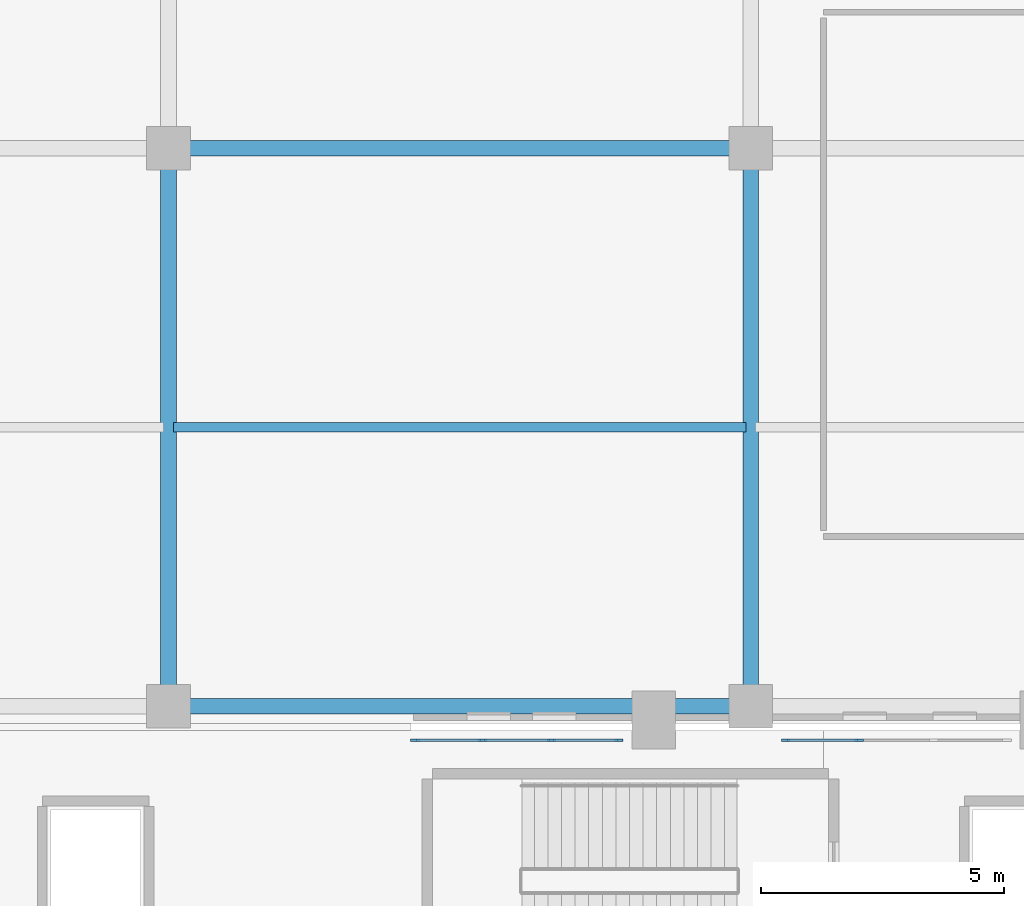
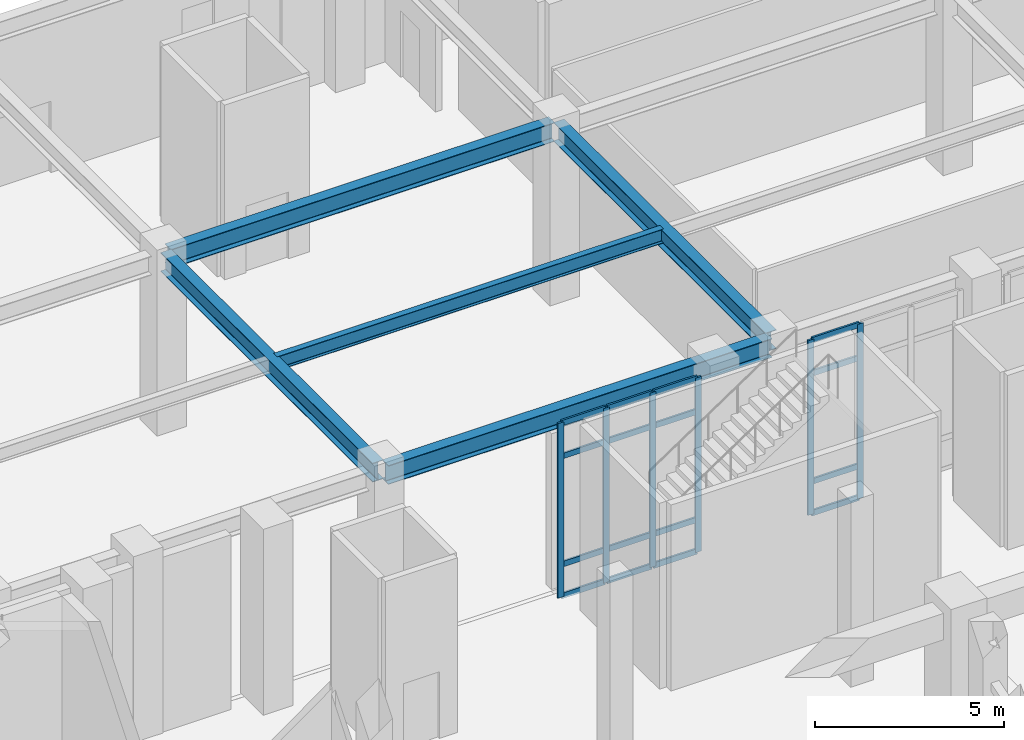
# One storey, part 48 of 143: 22 members, 5 beams, 2 elements without a shape of their own.
"""IFC4 building model written with IfcOpenShell, lengths in metres."""

from ifc_helpers import new_model, si_unit, derived_unit, direction, frame, origin, origin_2d, place, context, subcontext, project, spatial, rectangle, i_section, extrude, material, layer, layer_set, material_profile, profile_set, type_object, element, aggregate, save


model = new_model("IFC4")

# Units and contexts
model_context = context("Model", 3, precision=1e-05, world=origin(), true_north=direction((0.0, 1.0)))
body_context = subcontext(model_context, "Body", "Model", "MODEL_VIEW")
ifc_project = project(units=[si_unit("LENGTHUNIT", "METRE"), si_unit("AREAUNIT", "SQUARE_METRE"), si_unit("VOLUMEUNIT", "CUBIC_METRE"), si_unit("PLANEANGLEUNIT", "RADIAN"), si_unit("MASSUNIT", "GRAM", prefix="KILO"), derived_unit("THERMALTRANSMITTANCEUNIT", [(si_unit("MASSUNIT", "GRAM", prefix="KILO"), 1), (si_unit("TIMEUNIT", "SECOND"), -3), (si_unit("THERMODYNAMICTEMPERATUREUNIT", "KELVIN"), -1)])], contexts=[model_context])

# Site, building, storey
site_placement = place(None, origin())
site = spatial("IfcSite", under=ifc_project, at=site_placement, CompositionType="ELEMENT")
building_placement = place(site_placement, origin())
building = spatial("IfcBuilding", under=site, at=building_placement, Name="Valcora Ridge Arena", CompositionType="ELEMENT")
storey_placement = place(building_placement, origin())
storey = spatial("IfcBuildingStorey", under=building, at=storey_placement, Name="L00", CompositionType="ELEMENT", Elevation=0.0)

# Beams
ifc_material_1 = material(Name="Steel ASTM A572 Grade 50", Category="steel")
ifc_material_profile_1 = material_profile(ifc_material_1, i_section(OverallWidth=0.324951171875, OverallDepth=0.612060546875, WebThickness=0.0126953125, FlangeThickness=0.01904296875, FilletRadius=0.01806640625, at=origin_2d()), Name="W24X104")
ifc_profile_set_1 = profile_set([ifc_material_profile_1], Name="Steel ASTM A572 Grade 50")
beam_type_1 = type_object("IfcBeamType", Name="TY-BEAM-G-W24X104-X", PredefinedType="BEAM", material=ifc_profile_set_1)
for number, where, z_axis, x_axis, name in (
    (1, (48.139892578125, 108.699951171875, 5.333984375), (1.0, 0.0, 0.0), (0.0, 1.0, 0.0), "G-W24X104-X BEM-G-W24X104-X-0006"),
    (2, (48.139892578125, 120.199951171875, 5.333984375), (1.0, 0.0, 0.0), (0.0, 1.0, 0.0), "G-W24X104-X BEM-G-W24X104-X-0020"),
):
    element("IfcBeam", number, at=place(storey_placement, frame(where, z_axis=z_axis, x_axis=x_axis)), inside=storey, type_object=beam_type_1, Name=name, PredefinedType="BEAM", context=body_context, shape_type="SweptSolid", body=[
        extrude(i_section(OverallWidth=0.324951171875, OverallDepth=0.612060546875, WebThickness=0.0126953125, FlangeThickness=0.01904296875, FilletRadius=0.01806640625, at=origin_2d()), origin(), (0.0, 0.0, 1.0), 11.72021484375),
    ])
ifc_material_profile_2 = material_profile(ifc_material_1, i_section(OverallWidth=0.324951171875, OverallDepth=0.612060546875, WebThickness=0.0126953125, FlangeThickness=0.01904296875, FilletRadius=0.01806640625, at=origin_2d()), Name="W24X104")
ifc_profile_set_2 = profile_set([ifc_material_profile_2], Name="Steel ASTM A572 Grade 50")
beam_type_2 = type_object("IfcBeamType", Name="TY-BEAM-G-W24X104-Y", PredefinedType="BEAM", material=ifc_profile_set_2)
for number, where, z_axis, x_axis, name in (
    (3, (48.0, 108.840087890625, 5.333984375), (0.0, 1.0, 0.0), (-1.0, 0.0, 0.0), "G-W24X104-Y BEM-G-W24X104-Y-0004"),
    (4, (60.0, 108.840087890625, 5.333984375), (0.0, 1.0, 0.0), (-1.0, 0.0, 0.0), "G-W24X104-Y BEM-G-W24X104-Y-0006"),
):
    element("IfcBeam", number, at=place(storey_placement, frame(where, z_axis=z_axis, x_axis=x_axis)), inside=storey, type_object=beam_type_2, Name=name, PredefinedType="BEAM", context=body_context, shape_type="SweptSolid", body=[
        extrude(i_section(OverallWidth=0.324951171875, OverallDepth=0.612060546875, WebThickness=0.0126953125, FlangeThickness=0.01904296875, FilletRadius=0.01806640625, at=origin_2d()), origin(), (0.0, 0.0, 1.0), 11.219970703125),
    ])
ifc_material_profile_3 = material_profile(ifc_material_1, i_section(OverallWidth=0.18994140625, OverallDepth=0.45703125, WebThickness=0.009033203125, FlangeThickness=0.014404296875, FilletRadius=0.014892578125, at=origin_2d()), Name="W18X50")
ifc_profile_set_3 = profile_set([ifc_material_profile_3], Name="Steel ASTM A572 Grade 50")
beam_type_3 = type_object("IfcBeamType", Name="TY-BEAM-J-W18X50", PredefinedType="JOIST", material=ifc_profile_set_3)
beam_placement = place(storey_placement, frame((48.10009765625, 114.449951171875, 5.41162109375), z_axis=(1.0, 0.0, 0.0), x_axis=(0.0, 1.0, 0.0)))
element("IfcBeam", 5, at=beam_placement, inside=storey, type_object=beam_type_3, Name="J-W18X50 BEM-J-W18X50-0003", PredefinedType="JOIST", context=body_context, shape_type="SweptSolid", body=[
    extrude(i_section(OverallWidth=0.18994140625, OverallDepth=0.45703125, WebThickness=0.009033203125, FlangeThickness=0.014404296875, FilletRadius=0.014892578125, at=origin_2d()), origin(), (0.0, 0.0, 1.0), 11.7998046875),
])

# Curtain wall, members
ifc_material_2 = material(Name="Anodised dark bronze architectural aluminium 6063-T6", Category="aluminium")
ifc_layer_1 = layer(ifc_material_2, 0.179931640625, Name="Anodised dark bronze architectural aluminium 6063-T6")
ifc_layer_set_1 = layer_set([ifc_layer_1], Name="Anodised dark bronze architectural aluminium 6063-T6")
curtain_wall_type_1 = type_object("IfcCurtainWallType", Name="TY-CURTAINWALL-CW-V1-GOTH-043X56", PredefinedType="NOTDEFINED", material=ifc_layer_set_1)
curtain_wall_1_placement = place(storey_placement, origin())
curtain_wall_1 = element("IfcCurtainWall", 6, at=curtain_wall_1_placement, inside=storey, type_object=curtain_wall_type_1, Name="CW-V1-GOTH-043X56 CW-0088", PredefinedType="NOTDEFINED")
ifc_material_profile_4 = material_profile(ifc_material_2, rectangle(XDim=0.06005859375, YDim=0.179931640625, at=origin_2d()), Name="ALU MULLION 60x180")
ifc_profile_set_4 = profile_set([ifc_material_profile_4], Name="Anodised dark bronze architectural aluminium 6063-T6")
member_type_1 = type_object("IfcMemberType", Name="TY-MEM-CWM-60x180", PredefinedType="MULLION", material=ifc_profile_set_4)
member_1_placement = place(storey_placement, frame((53.080078125, 108.0, 0.0), z_axis=(0.0, 0.0, 1.0), x_axis=(0.0, 1.0, 0.0)))
member_1 = element("IfcMember", 7, at=member_1_placement, type_object=member_type_1, Name="CW-0088/CWM-60x180/M00", PredefinedType="MULLION", context=body_context, shape_type="SweptSolid", body=[
    extrude(rectangle(XDim=0.06005859375, YDim=0.179931640625, at=origin_2d()), origin(), (0.0, 0.0, 1.0), 5.639892578125),
])
member_2_placement = place(storey_placement, frame((54.469970703125, 108.0, 0.0), z_axis=(0.0, 0.0, 1.0), x_axis=(0.0, 1.0, 0.0)))
member_2 = element("IfcMember", 8, at=member_2_placement, type_object=member_type_1, Name="CW-0088/CWM-60x180/M01", PredefinedType="MULLION", context=body_context, shape_type="SweptSolid", body=[
    extrude(rectangle(XDim=0.06005859375, YDim=0.179931640625, at=origin_2d()), origin(), (0.0, 0.0, 1.0), 5.639892578125),
])
member_3_placement = place(storey_placement, frame((55.889892578125, 108.0, 0.0), z_axis=(0.0, 0.0, 1.0), x_axis=(0.0, 1.0, 0.0)))
member_3 = element("IfcMember", 9, at=member_3_placement, type_object=member_type_1, Name="CW-0088/CWM-60x180/M02", PredefinedType="MULLION", context=body_context, shape_type="SweptSolid", body=[
    extrude(rectangle(XDim=0.06005859375, YDim=0.179931640625, at=origin_2d()), origin(), (0.0, 0.0, 1.0), 5.639892578125),
])
member_4_placement = place(storey_placement, frame((57.280029296875, 108.0, 0.0), z_axis=(0.0, 0.0, 1.0), x_axis=(0.0, 1.0, 0.0)))
member_4 = element("IfcMember", 10, at=member_4_placement, type_object=member_type_1, Name="CW-0088/CWM-60x180/M03", PredefinedType="MULLION", context=body_context, shape_type="SweptSolid", body=[
    extrude(rectangle(XDim=0.06005859375, YDim=0.179931640625, at=origin_2d()), origin(), (0.0, 0.0, 1.0), 5.639892578125),
])

ifc_layer_2 = layer(ifc_material_2, 0.179931640625, Name="Anodised dark bronze architectural aluminium 6063-T6")
ifc_layer_set_2 = layer_set([ifc_layer_2], Name="Anodised dark bronze architectural aluminium 6063-T6")
curtain_wall_type_2 = type_object("IfcCurtainWallType", Name="TY-CURTAINWALL-CW-V1-GOTH-046X56", PredefinedType="NOTDEFINED", material=ifc_layer_set_2)
curtain_wall_2_placement = place(storey_placement, origin())
curtain_wall_2 = element("IfcCurtainWall", 11, at=curtain_wall_2_placement, inside=storey, type_object=curtain_wall_type_2, Name="CW-V1-GOTH-046X56 CW-0089", PredefinedType="NOTDEFINED")
member_5_placement = place(storey_placement, frame((60.719970703125, 108.0, 0.0), z_axis=(0.0, 0.0, 1.0), x_axis=(0.0, 1.0, 0.0)))
member_5 = element("IfcMember", 12, at=member_5_placement, type_object=member_type_1, Name="CW-0089/CWM-60x180/M00", PredefinedType="MULLION", context=body_context, shape_type="SweptSolid", body=[
    extrude(rectangle(XDim=0.06005859375, YDim=0.179931640625, at=origin_2d()), origin(), (0.0, 0.0, 1.0), 5.639892578125),
])
member_6_placement = place(storey_placement, frame((62.22998046875, 108.0, 0.0), z_axis=(0.0, 0.0, 1.0), x_axis=(0.0, 1.0, 0.0)))
member_6 = element("IfcMember", 13, at=member_6_placement, type_object=member_type_1, Name="CW-0089/CWM-60x180/M01", PredefinedType="MULLION", context=body_context, shape_type="SweptSolid", body=[
    extrude(rectangle(XDim=0.06005859375, YDim=0.179931640625, at=origin_2d()), origin(), (0.0, 0.0, 1.0), 5.639892578125),
])

# Member
ifc_material_profile_5 = material_profile(ifc_material_2, rectangle(XDim=0.06005859375, YDim=0.179931640625, at=origin_2d()), Name="ALU TRANSOM 60x180")
ifc_profile_set_5 = profile_set([ifc_material_profile_5], Name="Anodised dark bronze architectural aluminium 6063-T6")
member_type_2 = type_object("IfcMemberType", Name="TY-MEM-CWT-60x180", PredefinedType="USERDEFINED", material=ifc_profile_set_5)
member_7_placement = place(storey_placement, frame((53.110107421875, 108.0, 0.030029296875), z_axis=(1.0, 0.0, 0.0), x_axis=(0.0, 1.0, 0.0)))
member_7 = element("IfcMember", 14, at=member_7_placement, type_object=member_type_2, Name="CW-0088/CWT-60x180/T00-00", ObjectType="TRANSOM", PredefinedType="USERDEFINED", context=body_context, shape_type="SweptSolid", body=[
    extrude(rectangle(XDim=0.06005859375, YDim=0.179931640625, at=origin_2d()), origin(), (0.0, 0.0, 1.0), 1.329833984375),
])

member_8_placement = place(storey_placement, frame((53.110107421875, 108.0, 1.050048828125), z_axis=(1.0, 0.0, 0.0), x_axis=(0.0, 1.0, 0.0)))
member_8 = element("IfcMember", 15, at=member_8_placement, type_object=member_type_2, Name="CW-0088/CWT-60x180/T00-01", ObjectType="TRANSOM", PredefinedType="USERDEFINED", context=body_context, shape_type="SweptSolid", body=[
    extrude(rectangle(XDim=0.06005859375, YDim=0.179931640625, at=origin_2d()), origin(), (0.0, 0.0, 1.0), 1.329833984375),
])

member_9_placement = place(storey_placement, frame((53.110107421875, 108.0, 4.5400390625), z_axis=(1.0, 0.0, 0.0), x_axis=(0.0, 1.0, 0.0)))
member_9 = element("IfcMember", 16, at=member_9_placement, type_object=member_type_2, Name="CW-0088/CWT-60x180/T00-02", ObjectType="TRANSOM", PredefinedType="USERDEFINED", context=body_context, shape_type="SweptSolid", body=[
    extrude(rectangle(XDim=0.06005859375, YDim=0.179931640625, at=origin_2d()), origin(), (0.0, 0.0, 1.0), 1.329833984375),
])

member_10_placement = place(storey_placement, frame((53.110107421875, 108.0, 5.610107421875), z_axis=(1.0, 0.0, 0.0), x_axis=(0.0, 1.0, 0.0)))
member_10 = element("IfcMember", 17, at=member_10_placement, type_object=member_type_2, Name="CW-0088/CWT-60x180/T00-03", ObjectType="TRANSOM", PredefinedType="USERDEFINED", context=body_context, shape_type="SweptSolid", body=[
    extrude(rectangle(XDim=0.06005859375, YDim=0.179931640625, at=origin_2d()), origin(), (0.0, 0.0, 1.0), 1.329833984375),
])

member_11_placement = place(storey_placement, frame((54.5, 108.0, 0.030029296875), z_axis=(1.0, 0.0, 0.0), x_axis=(0.0, 1.0, 0.0)))
member_11 = element("IfcMember", 18, at=member_11_placement, type_object=member_type_2, Name="CW-0088/CWT-60x180/T01-00", ObjectType="TRANSOM", PredefinedType="USERDEFINED", context=body_context, shape_type="SweptSolid", body=[
    extrude(rectangle(XDim=0.06005859375, YDim=0.179931640625, at=origin_2d()), origin(), (0.0, 0.0, 1.0), 1.360107421875),
])

member_12_placement = place(storey_placement, frame((54.5, 108.0, 1.050048828125), z_axis=(1.0, 0.0, 0.0), x_axis=(0.0, 1.0, 0.0)))
member_12 = element("IfcMember", 19, at=member_12_placement, type_object=member_type_2, Name="CW-0088/CWT-60x180/T01-01", ObjectType="TRANSOM", PredefinedType="USERDEFINED", context=body_context, shape_type="SweptSolid", body=[
    extrude(rectangle(XDim=0.06005859375, YDim=0.179931640625, at=origin_2d()), origin(), (0.0, 0.0, 1.0), 1.360107421875),
])

member_13_placement = place(storey_placement, frame((54.5, 108.0, 4.5400390625), z_axis=(1.0, 0.0, 0.0), x_axis=(0.0, 1.0, 0.0)))
member_13 = element("IfcMember", 20, at=member_13_placement, type_object=member_type_2, Name="CW-0088/CWT-60x180/T01-02", ObjectType="TRANSOM", PredefinedType="USERDEFINED", context=body_context, shape_type="SweptSolid", body=[
    extrude(rectangle(XDim=0.06005859375, YDim=0.179931640625, at=origin_2d()), origin(), (0.0, 0.0, 1.0), 1.360107421875),
])

member_14_placement = place(storey_placement, frame((54.5, 108.0, 5.610107421875), z_axis=(1.0, 0.0, 0.0), x_axis=(0.0, 1.0, 0.0)))
member_14 = element("IfcMember", 21, at=member_14_placement, type_object=member_type_2, Name="CW-0088/CWT-60x180/T01-03", ObjectType="TRANSOM", PredefinedType="USERDEFINED", context=body_context, shape_type="SweptSolid", body=[
    extrude(rectangle(XDim=0.06005859375, YDim=0.179931640625, at=origin_2d()), origin(), (0.0, 0.0, 1.0), 1.360107421875),
])

member_15_placement = place(storey_placement, frame((55.919921875, 108.0, 0.030029296875), z_axis=(1.0, 0.0, 0.0), x_axis=(0.0, 1.0, 0.0)))
member_15 = element("IfcMember", 22, at=member_15_placement, type_object=member_type_2, Name="CW-0088/CWT-60x180/T02-00", ObjectType="TRANSOM", PredefinedType="USERDEFINED", context=body_context, shape_type="SweptSolid", body=[
    extrude(rectangle(XDim=0.06005859375, YDim=0.179931640625, at=origin_2d()), origin(), (0.0, 0.0, 1.0), 1.330078125),
])

member_16_placement = place(storey_placement, frame((55.919921875, 108.0, 1.050048828125), z_axis=(1.0, 0.0, 0.0), x_axis=(0.0, 1.0, 0.0)))
member_16 = element("IfcMember", 23, at=member_16_placement, type_object=member_type_2, Name="CW-0088/CWT-60x180/T02-01", ObjectType="TRANSOM", PredefinedType="USERDEFINED", context=body_context, shape_type="SweptSolid", body=[
    extrude(rectangle(XDim=0.06005859375, YDim=0.179931640625, at=origin_2d()), origin(), (0.0, 0.0, 1.0), 1.330078125),
])

member_17_placement = place(storey_placement, frame((55.919921875, 108.0, 4.5400390625), z_axis=(1.0, 0.0, 0.0), x_axis=(0.0, 1.0, 0.0)))
member_17 = element("IfcMember", 24, at=member_17_placement, type_object=member_type_2, Name="CW-0088/CWT-60x180/T02-02", ObjectType="TRANSOM", PredefinedType="USERDEFINED", context=body_context, shape_type="SweptSolid", body=[
    extrude(rectangle(XDim=0.06005859375, YDim=0.179931640625, at=origin_2d()), origin(), (0.0, 0.0, 1.0), 1.330078125),
])

member_18_placement = place(storey_placement, frame((55.919921875, 108.0, 5.610107421875), z_axis=(1.0, 0.0, 0.0), x_axis=(0.0, 1.0, 0.0)))
member_18 = element("IfcMember", 25, at=member_18_placement, type_object=member_type_2, Name="CW-0088/CWT-60x180/T02-03", ObjectType="TRANSOM", PredefinedType="USERDEFINED", context=body_context, shape_type="SweptSolid", body=[
    extrude(rectangle(XDim=0.06005859375, YDim=0.179931640625, at=origin_2d()), origin(), (0.0, 0.0, 1.0), 1.330078125),
])

aggregate(curtain_wall_1, [member_1, member_2, member_3, member_4, member_7, member_8, member_9, member_10, member_11, member_12, member_13, member_14, member_15, member_16, member_17, member_18])

member_19_placement = place(storey_placement, frame((60.75, 108.0, 0.030029296875), z_axis=(1.0, 0.0, 0.0), x_axis=(0.0, 1.0, 0.0)))
member_19 = element("IfcMember", 26, at=member_19_placement, type_object=member_type_2, Name="CW-0089/CWT-60x180/T00-00", ObjectType="TRANSOM", PredefinedType="USERDEFINED", context=body_context, shape_type="SweptSolid", body=[
    extrude(rectangle(XDim=0.06005859375, YDim=0.179931640625, at=origin_2d()), origin(), (0.0, 0.0, 1.0), 1.449951171875),
])

member_20_placement = place(storey_placement, frame((60.75, 108.0, 1.050048828125), z_axis=(1.0, 0.0, 0.0), x_axis=(0.0, 1.0, 0.0)))
member_20 = element("IfcMember", 27, at=member_20_placement, type_object=member_type_2, Name="CW-0089/CWT-60x180/T00-01", ObjectType="TRANSOM", PredefinedType="USERDEFINED", context=body_context, shape_type="SweptSolid", body=[
    extrude(rectangle(XDim=0.06005859375, YDim=0.179931640625, at=origin_2d()), origin(), (0.0, 0.0, 1.0), 1.449951171875),
])

member_21_placement = place(storey_placement, frame((60.75, 108.0, 4.5400390625), z_axis=(1.0, 0.0, 0.0), x_axis=(0.0, 1.0, 0.0)))
member_21 = element("IfcMember", 28, at=member_21_placement, type_object=member_type_2, Name="CW-0089/CWT-60x180/T00-02", ObjectType="TRANSOM", PredefinedType="USERDEFINED", context=body_context, shape_type="SweptSolid", body=[
    extrude(rectangle(XDim=0.06005859375, YDim=0.179931640625, at=origin_2d()), origin(), (0.0, 0.0, 1.0), 1.449951171875),
])

member_22_placement = place(storey_placement, frame((60.75, 108.0, 5.610107421875), z_axis=(1.0, 0.0, 0.0), x_axis=(0.0, 1.0, 0.0)))
member_22 = element("IfcMember", 29, at=member_22_placement, type_object=member_type_2, Name="CW-0089/CWT-60x180/T00-03", ObjectType="TRANSOM", PredefinedType="USERDEFINED", context=body_context, shape_type="SweptSolid", body=[
    extrude(rectangle(XDim=0.06005859375, YDim=0.179931640625, at=origin_2d()), origin(), (0.0, 0.0, 1.0), 1.449951171875),
])

aggregate(curtain_wall_2, [member_5, member_6, member_19, member_20, member_21, member_22])

save(model, "model.ifc")
